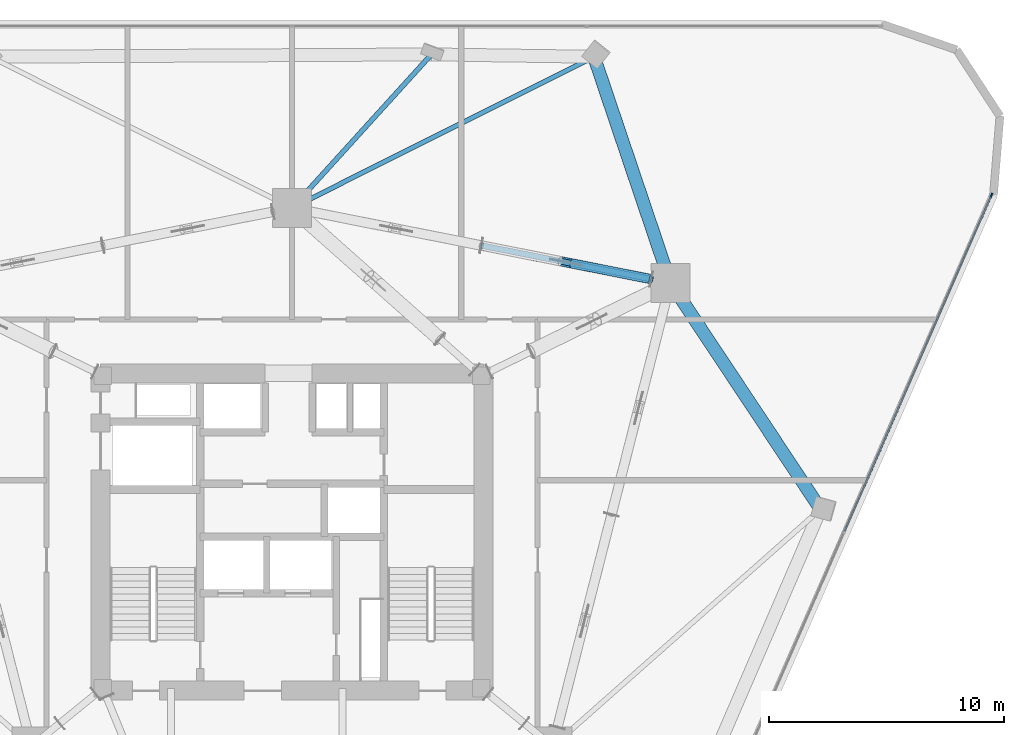
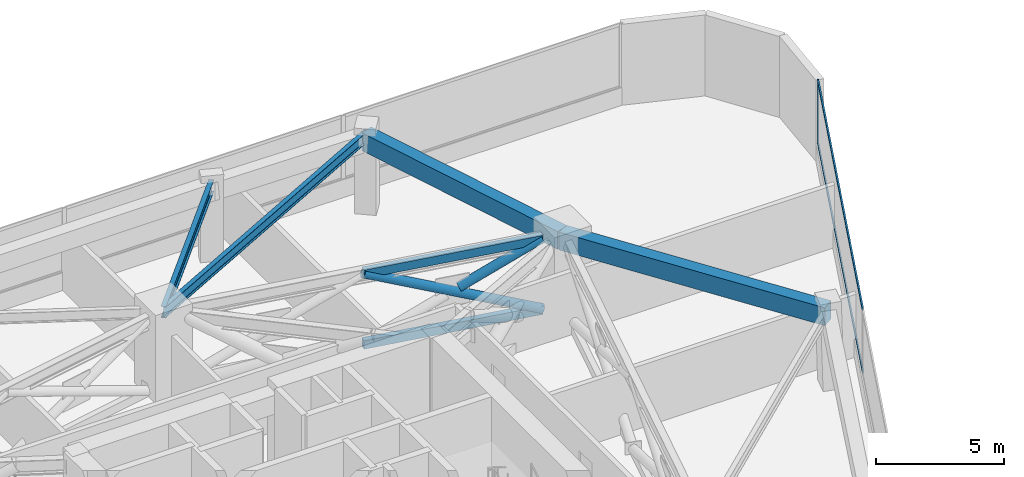
# One storey, part 7 of 15: 7 members, 4 beams, 1 element without a shape of its own.
"""IFC4 building model written with IfcOpenShell, lengths in metres."""

from ifc_helpers import new_model, si_unit, direction, frame, origin, origin_2d, place, context, subcontext, project, spatial, rectangle, hollow_rectangle, hollow_circle, i_section, extrude, material, layer, layer_set, material_profile, profile_set, type_object, element, aggregate, save


model = new_model("IFC4")

# Units and contexts
model_context = context("Model", 3, precision=1e-05, world=origin(), true_north=direction((0.0, 1.0)))
body_context = subcontext(model_context, "Body", "Model", "MODEL_VIEW")
ifc_project = project(units=[si_unit("LENGTHUNIT", "METRE"), si_unit("AREAUNIT", "SQUARE_METRE"), si_unit("VOLUMEUNIT", "CUBIC_METRE"), si_unit("PLANEANGLEUNIT", "RADIAN"), si_unit("MASSUNIT", "GRAM", prefix="KILO")], contexts=[model_context])

# Site, building, storey
site_placement = place(None, origin())
site = spatial("IfcSite", under=ifc_project, at=site_placement, CompositionType="ELEMENT")
building_placement = place(site_placement, origin())
building = spatial("IfcBuilding", under=site, at=building_placement, Name="Talyreon Biosciences Tower", CompositionType="ELEMENT")
storey_placement = place(building_placement, frame((0.0, 0.0, 118.800048828125)))
storey = spatial("IfcBuildingStorey", under=building, at=storey_placement, Name="L31", CompositionType="ELEMENT", Elevation=118.800048828125)

# Members
ifc_material_1 = material(Name="Steel SM355", Category="steel")
ifc_material_profile_1 = material_profile(ifc_material_1, hollow_circle(Radius=0.203125, WallThickness=0.01611328125, at=origin_2d()), Name="CHS 406.4x16")
ifc_profile_set_1 = profile_set([ifc_material_profile_1], Name="Steel SM355")
member_type_1 = type_object("IfcMemberType", Name="BeltBrace_CHS406", PredefinedType="BRACE", material=ifc_profile_set_1)
member_1_placement = place(storey_placement, frame((81.283203125, 78.760986328125, 0.239990234375), z_axis=(-0.892609330302, 0.176852479898, 0.414694808035), x_axis=(-0.194351808375, -0.980931890898, 0.0)))
element("IfcMember", 1, at=member_1_placement, inside=storey, type_object=member_type_1, Name="L31 Continuous Diagonal BELT-L31-B3S1A", PredefinedType="BRACE", context=body_context, shape_type="SweptSolid", body=[
    extrude(hollow_circle(Radius=0.203125, WallThickness=0.01611328125, at=origin_2d()), origin(), (0.0, 0.0, 1.0), 8.10205078125),
])
member_2_placement = place(storey_placement, frame((77.9169921875, 79.427978515625, 2.0361328125), z_axis=(0.892624851318, -0.176867645329, 0.414654929844), x_axis=(0.194364592806, 0.980929357835, 0.0)))
element("IfcMember", 2, at=member_2_placement, inside=storey, type_object=member_type_1, Name="L31 Split Diagonal BELT-L31-B3S1B-Upper", PredefinedType="BRACE", context=body_context, shape_type="SweptSolid", body=[
    extrude(hollow_circle(Radius=0.203125, WallThickness=0.01611328125, at=origin_2d()), origin(), (0.0, 0.0, 1.0), 3.771240234375),
])
ifc_material_profile_2 = material_profile(ifc_material_1, hollow_rectangle(XDim=0.25, YDim=0.39990234375, WallThickness=0.01611328125, at=origin_2d()), Name="RHS 400x250x16")
ifc_profile_set_2 = profile_set([ifc_material_profile_2], Name="Steel SM355")
member_type_2 = type_object("IfcMemberType", Name="BeltChord_RHS400x250", PredefinedType="CHORD", material=ifc_profile_set_2)
for number, where, z_axis, x_axis, name in (
    (3, (81.283203125, 78.760986328125, 0.239990234375), (-0.980931890898, 0.194351808375, 0.0), (-0.194351808375, -0.980931890898, 0.0), "L31 Truss Bottom Chord BELT-L31-B3S1"),
    (4, (81.283203125, 78.760986328125, 3.599853515625), (-0.980931890898, 0.194351808375, 0.0), (-0.194351808375, -0.980931890898, 0.0), "L31 Truss Top Chord BELT-L31-B3S1"),
):
    element("IfcMember", number, at=place(storey_placement, frame(where, z_axis=z_axis, x_axis=x_axis)), inside=storey, type_object=member_type_2, Name=name, PredefinedType="CHORD", context=body_context, shape_type="SweptSolid", body=[
        extrude(hollow_rectangle(XDim=0.25, YDim=0.39990234375, WallThickness=0.01611328125, at=origin_2d()), origin(), (0.0, 0.0, 1.0), 7.37255859375),
    ])

# Curtain wall, members
ifc_material_2 = material(Name="Thermally broken aluminium and low-E glazing", Category="aluminium")
ifc_layer = layer(ifc_material_2, 0.18994140625)
ifc_layer_set = layer_set([ifc_layer], Name="Thermally broken aluminium and low-E glazing")
curtain_wall_type = type_object("IfcCurtainWallType", Name="CurtainWall_Zone2Genomics", PredefinedType="NOTDEFINED", material=ifc_layer_set)
curtain_wall_placement = place(storey_placement, origin())
curtain_wall = element("IfcCurtainWall", 5, at=curtain_wall_placement, inside=storey, type_object=curtain_wall_type, Name="L31 Unitised Curtain Wall FCW-L31-08", PredefinedType="NOTDEFINED")
ifc_material_3 = material(Name="Anodised thermally broken aluminium", Category="aluminium")
ifc_material_profile_3 = material_profile(ifc_material_3, rectangle(XDim=0.06494140625, YDim=0.179931640625, at=origin_2d()), Name="ALUM MULLION 65x180")
ifc_profile_set_3 = profile_set([ifc_material_profile_3], Name="Anodised thermally broken aluminium")
member_type_3 = type_object("IfcMemberType", Name="CWMullion_65x180", PredefinedType="MULLION", material=ifc_profile_set_3)
member_3_placement = place(storey_placement, frame((95.767578125, 82.3408203125, 0.81005859375), z_axis=(0.0, 0.0, 1.0), x_axis=(0.916416470178, -0.400226002637, 0.0)))
member_3 = element("IfcMember", 6, at=member_3_placement, type_object=member_type_3, Name="CW3 mullion 1", PredefinedType="MULLION", context=body_context, shape_type="SweptSolid", body=[
    extrude(rectangle(XDim=0.06494140625, YDim=0.179931640625, at=origin_2d()), origin(), (0.0, 0.0, 1.0), 3.039794921875),
])
ifc_material_profile_4 = material_profile(ifc_material_3, rectangle(XDim=0.06494140625, YDim=0.139892578125, at=origin_2d()), Name="ALUM TRANSOM 65x140")
ifc_profile_set_4 = profile_set([ifc_material_profile_4], Name="Anodised thermally broken aluminium")
member_type_4 = type_object("IfcMemberType", Name="CWTransom_65x140", PredefinedType="USERDEFINED", material=ifc_profile_set_4)
member_4_placement = place(storey_placement, frame((95.75439453125, 82.31103515625, 0.842529296875), z_axis=(-0.400215954954, -0.916420858231, 0.0), x_axis=(0.916420858231, -0.400215954954, 0.0)))
member_4 = element("IfcMember", 7, at=member_4_placement, type_object=member_type_4, Name="CW3 transom 1.1", ObjectType="TRANSOM", PredefinedType="USERDEFINED", context=body_context, shape_type="SweptSolid", body=[
    extrude(rectangle(XDim=0.06494140625, YDim=0.139892578125, at=origin_2d()), origin(), (0.0, 0.0, 1.0), 15.573974609375),
])
member_5_placement = place(storey_placement, frame((95.75439453125, 82.31103515625, 3.8173828125), z_axis=(-0.400215954954, -0.916420858231, 0.0), x_axis=(0.916420858231, -0.400215954954, 0.0)))
member_5 = element("IfcMember", 8, at=member_5_placement, type_object=member_type_4, Name="CW3 transom 1.2", ObjectType="TRANSOM", PredefinedType="USERDEFINED", context=body_context, shape_type="SweptSolid", body=[
    extrude(rectangle(XDim=0.06494140625, YDim=0.139892578125, at=origin_2d()), origin(), (0.0, 0.0, 1.0), 15.573974609375),
])
aggregate(curtain_wall, [member_3, member_4, member_5])

# Beams
ifc_material_4 = material(Name="Precast concrete C45/55", Category="concrete")
ifc_material_profile_5 = material_profile(ifc_material_4, rectangle(XDim=0.550048828125, YDim=0.85009765625, at=origin_2d()), Name="RCB 550x850")
ifc_profile_set_5 = profile_set([ifc_material_profile_5], Name="Precast concrete C45/55")
beam_type_1 = type_object("IfcBeamType", Name="ExpressedSpandrel_550x850", PredefinedType="SPANDREL", material=ifc_profile_set_5)
beam_1_placement = place(storey_placement, frame((88.492431640625, 68.970458984375, 3.425048828125), z_axis=(-0.552982839126, 0.83319264257, 0.0), x_axis=(-0.83319264257, -0.552982839126, 0.0)))
element("IfcBeam", 9, at=beam_1_placement, inside=storey, type_object=beam_type_1, Name="L31 Expressed Horizontal Concrete Spandrel 04", PredefinedType="SPANDREL", context=body_context, shape_type="SweptSolid", body=[
    extrude(rectangle(XDim=0.550048828125, YDim=0.85009765625, at=origin_2d()), origin(), (0.0, 0.0, 1.0), 11.5556640625),
])
beam_2_placement = place(storey_placement, frame((82.102294921875, 78.5986328125, 3.425048828125), z_axis=(-0.320059846085, 0.947397326851, 0.0), x_axis=(-0.947397326851, -0.320059846085, 0.0)))
element("IfcBeam", 10, at=beam_2_placement, inside=storey, type_object=beam_type_1, Name="L31 Expressed Horizontal Concrete Spandrel 05", PredefinedType="SPANDREL", context=body_context, shape_type="SweptSolid", body=[
    extrude(rectangle(XDim=0.550048828125, YDim=0.85009765625, at=origin_2d()), origin(), (0.0, 0.0, 1.0), 10.1611328125),
])
ifc_material_profile_6 = material_profile(ifc_material_1, i_section(OverallWidth=0.199951171875, OverallDepth=0.5, WebThickness=0.01025390625, FlangeThickness=0.01611328125, FilletRadius=0.02099609375, at=origin_2d()), Name="IPE500")
ifc_profile_set_6 = profile_set([ifc_material_profile_6], Name="Steel SM355")
beam_type_2 = type_object("IfcBeamType", Name="SteelJoist_IPE500", PredefinedType="JOIST", material=ifc_profile_set_6)
beam_3_placement = place(storey_placement, frame((66.0, 81.788818359375, 3.599853515625), z_axis=(0.894107602396, 0.44785220256, 0.0), x_axis=(-0.44785220256, 0.894107602396, 0.0)))
element("IfcBeam", 11, at=beam_3_placement, inside=storey, type_object=beam_type_2, Name="L31 Radial Composite Floor Joist PC-N1", PredefinedType="JOIST", context=body_context, shape_type="SweptSolid", body=[
    extrude(i_section(OverallWidth=0.199951171875, OverallDepth=0.5, WebThickness=0.01025390625, FlangeThickness=0.01611328125, FilletRadius=0.02099609375, at=origin_2d()), origin(), (0.0, 0.0, 1.0), 14.3720703125),
])
ifc_material_profile_7 = material_profile(ifc_material_1, i_section(OverallWidth=0.2099609375, OverallDepth=0.550048828125, WebThickness=0.010986328125, FlangeThickness=0.01708984375, FilletRadius=0.02392578125, at=origin_2d()), Name="IPE550")
ifc_profile_set_7 = profile_set([ifc_material_profile_7], Name="Steel SM355")
beam_type_3 = type_object("IfcBeamType", Name="SteelJoist_IPE550", PredefinedType="JOIST", material=ifc_profile_set_7)
beam_4_placement = place(storey_placement, frame((66.0, 81.788818359375, 3.574951171875), z_axis=(0.671974455196, 0.740574325483, 0.0), x_axis=(-0.740574325483, 0.671974455196, 0.0)))
element("IfcBeam", 12, at=beam_4_placement, inside=storey, type_object=beam_type_3, Name="L31 Radial Composite Floor Joist PL-N", PredefinedType="JOIST", context=body_context, shape_type="SweptSolid", body=[
    extrude(i_section(OverallWidth=0.2099609375, OverallDepth=0.550048828125, WebThickness=0.010986328125, FlangeThickness=0.01708984375, FilletRadius=0.02392578125, at=origin_2d()), origin(), (0.0, 0.0, 1.0), 8.826171875),
])

save(model, "model.ifc")
